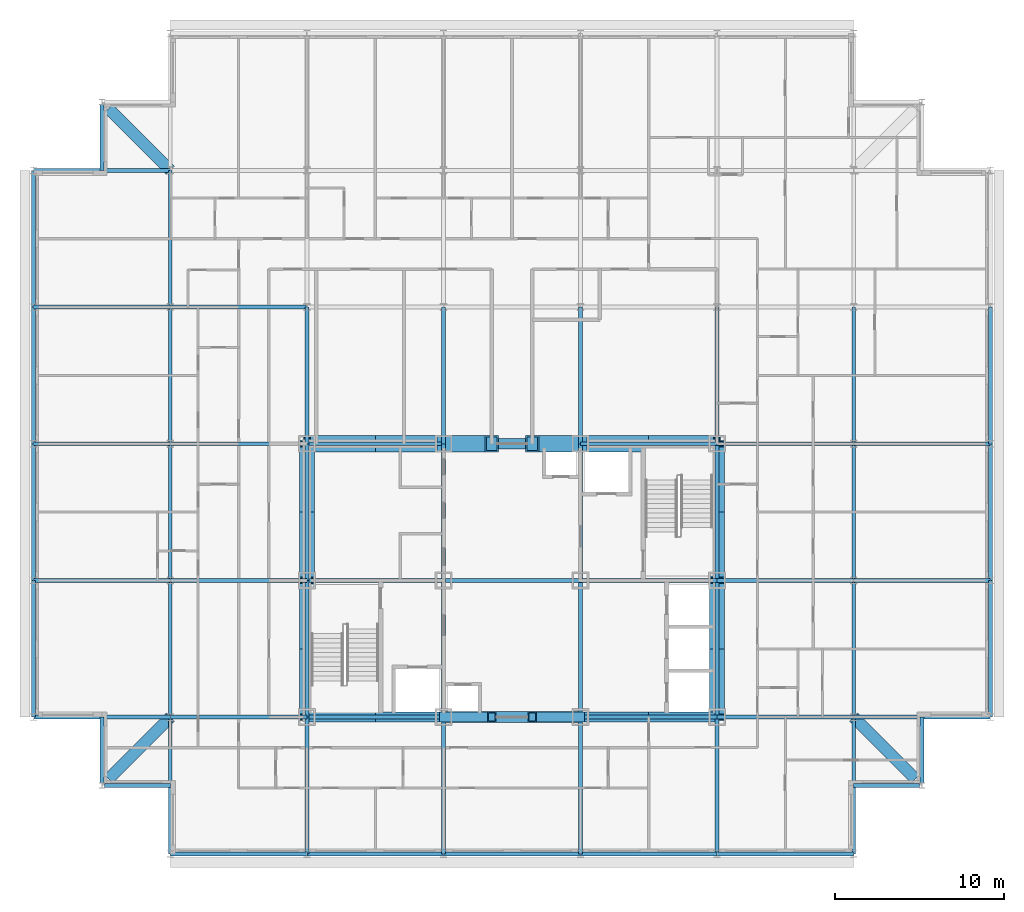
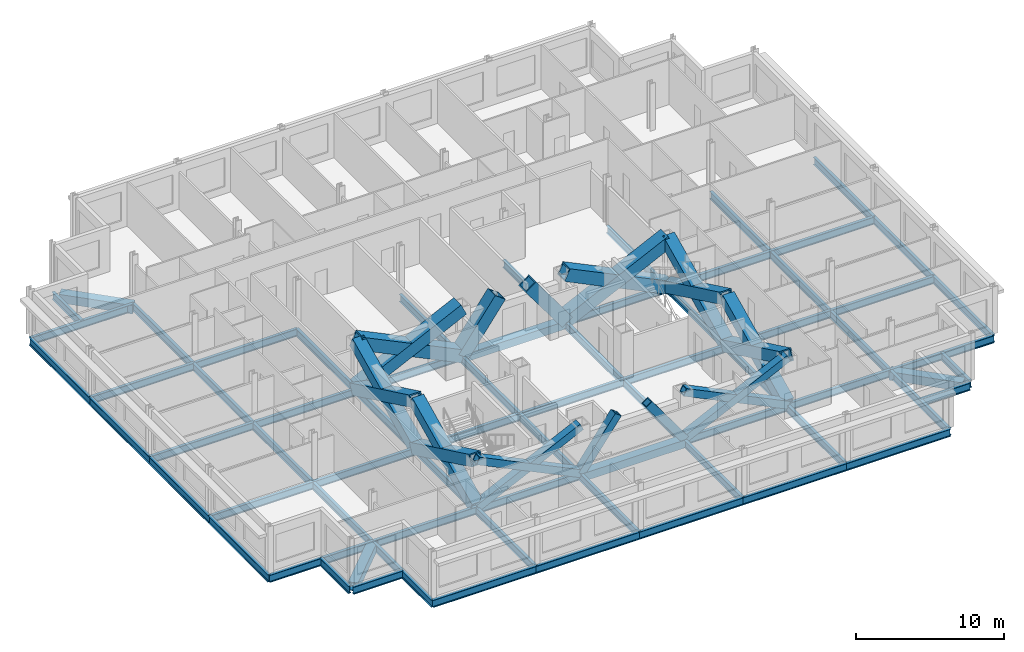
# One storey, part 5 of 15: 69 beams, 20 members.
"""IFC4 building model written with IfcOpenShell, lengths in metres."""

from ifc_helpers import new_model, si_unit, direction, frame, origin, origin_2d, place, context, subcontext, project, spatial, hollow_rectangle, i_section, extrude, material, material_profile, profile_set, type_object, element, save


model = new_model("IFC4")

# Units and contexts
model_context = context("Model", 3, precision=1e-05, world=origin(), true_north=direction((0.0, 1.0)))
body_context = subcontext(model_context, "Body", "Model", "MODEL_VIEW")
ifc_project = project(units=[si_unit("LENGTHUNIT", "METRE"), si_unit("AREAUNIT", "SQUARE_METRE"), si_unit("VOLUMEUNIT", "CUBIC_METRE"), si_unit("PLANEANGLEUNIT", "RADIAN"), si_unit("MASSUNIT", "GRAM", prefix="KILO")], contexts=[model_context])

# Site, building, storey
site_placement = place(None, origin())
site = spatial("IfcSite", under=ifc_project, at=site_placement, CompositionType="ELEMENT")
building_placement = place(site_placement, origin())
building = spatial("IfcBuilding", under=site, at=building_placement, Name="Kopane Lantern Tower", CompositionType="ELEMENT")
storey_placement = place(building_placement, frame((0.0, 0.0, 277.5)))
storey = spatial("IfcBuildingStorey", under=building, at=storey_placement, Name="L71", CompositionType="ELEMENT", Elevation=277.5)

# Members
ifc_material_1 = material(Name="Steel S355JR", Category="steel")
ifc_material_profile_1 = material_profile(ifc_material_1, hollow_rectangle(XDim=1.0, YDim=1.0, WallThickness=0.10009765625, at=origin_2d()), Name="BOX 1000x1000x100")
ifc_profile_set_1 = profile_set([ifc_material_profile_1], Name="Steel S355JR")
member_type_1 = type_object("IfcMemberType", Name="BRACE BOX 1000x1000x100", PredefinedType="BRACE", material=ifc_profile_set_1)
for number, where, z_axis, x_axis, name in (
    (1, (16.199951171875, 40.5, -0.2099609375), (0.901007959878, 0.0, 0.433802554437), (0.0, 1.0, 0.0), "Core brace L71"),
    (2, (24.300048828125, 40.5, -0.2099609375), (-0.901007959878, 0.0, 0.433802554437), (0.0, -1.0, 0.0), "Core brace L71"),
):
    element("IfcMember", number, at=place(storey_placement, frame(where, z_axis=z_axis, x_axis=x_axis)), inside=storey, type_object=member_type_1, Name=name, PredefinedType="BRACE", context=body_context, shape_type="SweptSolid", body=[
        extrude(hollow_rectangle(XDim=1.0, YDim=1.0, WallThickness=0.10009765625, at=origin_2d()), origin(), (0.0, 0.0, 1.0), 8.989990234375),
    ])
for number, where, z_axis, x_axis, name in (
    (3, (24.300048828125, 40.5, -0.2099609375), (0.590006451143, 0.0, 0.807398530845), (0.0, 1.0, 0.0), "Core brace L71"),
    (4, (32.39990234375, 40.5, -0.2099609375), (-0.590006451143, 0.0, 0.807398530845), (0.0, -1.0, 0.0), "Core brace L71"),
):
    element("IfcMember", number, at=place(storey_placement, frame(where, z_axis=z_axis, x_axis=x_axis)), inside=storey, type_object=member_type_1, Name=name, PredefinedType="BRACE", context=body_context, shape_type="SweptSolid", body=[
        extrude(hollow_rectangle(XDim=1.0, YDim=1.0, WallThickness=0.10009765625, at=origin_2d()), origin(), (0.0, 0.0, 1.0), 4.830322265625),
    ])
for number, where, z_axis, x_axis, name in (
    (5, (32.39990234375, 40.5, -0.2099609375), (0.901007959878, 0.0, 0.433802554437), (0.0, 1.0, 0.0), "Core brace L71"),
    (6, (40.5, 40.5, -0.2099609375), (-0.901007959878, 0.0, 0.433802554437), (0.0, -1.0, 0.0), "Core brace L71"),
):
    element("IfcMember", number, at=place(storey_placement, frame(where, z_axis=z_axis, x_axis=x_axis)), inside=storey, type_object=member_type_1, Name=name, PredefinedType="BRACE", context=body_context, shape_type="SweptSolid", body=[
        extrude(hollow_rectangle(XDim=1.0, YDim=1.0, WallThickness=0.10009765625, at=origin_2d()), origin(), (0.0, 0.0, 1.0), 8.989990234375),
    ])
ifc_material_2 = material(Name="Steel S355JR", Category="steel")
ifc_material_profile_2 = material_profile(ifc_material_2, hollow_rectangle(XDim=0.60009765625, YDim=0.60009765625, WallThickness=0.06005859375, at=origin_2d()), Name="BOX 600x600x60")
ifc_profile_set_2 = profile_set([ifc_material_profile_2], Name="Steel S355JR")
member_type_2 = type_object("IfcMemberType", Name="BRACE BOX 600x600x60", PredefinedType="BRACE", material=ifc_profile_set_2)
for number, where, z_axis, x_axis, name in (
    (7, (16.199951171875, 24.300048828125, -0.2099609375), (0.901007959878, 0.0, 0.433802554437), (0.0, 1.0, 0.0), "Core brace L71"),
    (8, (24.300048828125, 24.300048828125, -0.2099609375), (-0.901007959878, 0.0, 0.433802554437), (0.0, -1.0, 0.0), "Core brace L71"),
):
    element("IfcMember", number, at=place(storey_placement, frame(where, z_axis=z_axis, x_axis=x_axis)), inside=storey, type_object=member_type_2, Name=name, PredefinedType="BRACE", context=body_context, shape_type="SweptSolid", body=[
        extrude(hollow_rectangle(XDim=0.60009765625, YDim=0.60009765625, WallThickness=0.06005859375, at=origin_2d()), origin(), (0.0, 0.0, 1.0), 8.989990234375),
    ])
for number, where, z_axis, x_axis, name in (
    (9, (24.300048828125, 24.300048828125, -0.2099609375), (0.590006451143, 0.0, 0.807398530845), (0.0, 1.0, 0.0), "Core brace L71"),
    (10, (32.39990234375, 24.300048828125, -0.2099609375), (-0.590006451143, 0.0, 0.807398530845), (0.0, -1.0, 0.0), "Core brace L71"),
):
    element("IfcMember", number, at=place(storey_placement, frame(where, z_axis=z_axis, x_axis=x_axis)), inside=storey, type_object=member_type_2, Name=name, PredefinedType="BRACE", context=body_context, shape_type="SweptSolid", body=[
        extrude(hollow_rectangle(XDim=0.60009765625, YDim=0.60009765625, WallThickness=0.06005859375, at=origin_2d()), origin(), (0.0, 0.0, 1.0), 4.830322265625),
    ])
for number, where, z_axis, x_axis, name in (
    (11, (32.39990234375, 24.300048828125, -0.2099609375), (0.901007959878, 0.0, 0.433802554437), (0.0, 1.0, 0.0), "Core brace L71"),
    (12, (40.5, 24.300048828125, -0.2099609375), (-0.901007959878, 0.0, 0.433802554437), (0.0, -1.0, 0.0), "Core brace L71"),
):
    element("IfcMember", number, at=place(storey_placement, frame(where, z_axis=z_axis, x_axis=x_axis)), inside=storey, type_object=member_type_2, Name=name, PredefinedType="BRACE", context=body_context, shape_type="SweptSolid", body=[
        extrude(hollow_rectangle(XDim=0.60009765625, YDim=0.60009765625, WallThickness=0.06005859375, at=origin_2d()), origin(), (0.0, 0.0, 1.0), 8.989990234375),
    ])
ifc_material_3 = material(Name="Steel S355JR", Category="steel")
ifc_material_profile_3 = material_profile(ifc_material_3, hollow_rectangle(XDim=0.89990234375, YDim=0.89990234375, WallThickness=0.090087890625, at=origin_2d()), Name="BOX 900x900x90")
ifc_profile_set_3 = profile_set([ifc_material_profile_3], Name="Steel S355JR")
member_type_3 = type_object("IfcMemberType", Name="BRACE BOX 900x900x90", PredefinedType="BRACE", material=ifc_profile_set_3)
for number, where, z_axis, x_axis, name in (
    (13, (16.199951171875, 24.300048828125, -0.2099609375), (0.0, 0.9010028492, 0.433813169157), (-1.0, 0.0, 0.0), "Core brace L71"),
    (14, (16.199951171875, 32.39990234375, -0.2099609375), (0.0, -0.9010028492, 0.433813169157), (1.0, 0.0, 0.0), "Core brace L71"),
):
    element("IfcMember", number, at=place(storey_placement, frame(where, z_axis=z_axis, x_axis=x_axis)), inside=storey, type_object=member_type_3, Name=name, PredefinedType="BRACE", context=body_context, shape_type="SweptSolid", body=[
        extrude(hollow_rectangle(XDim=0.89990234375, YDim=0.89990234375, WallThickness=0.090087890625, at=origin_2d()), origin(), (0.0, 0.0, 1.0), 8.98974609375),
    ])
for number, where, z_axis, x_axis, name in (
    (15, (16.199951171875, 32.39990234375, -0.2099609375), (0.0, 0.901007959878, 0.433802554437), (-1.0, 0.0, 0.0), "Core brace L71"),
    (16, (16.199951171875, 40.5, -0.2099609375), (0.0, -0.901007959878, 0.433802554437), (1.0, 0.0, 0.0), "Core brace L71"),
):
    element("IfcMember", number, at=place(storey_placement, frame(where, z_axis=z_axis, x_axis=x_axis)), inside=storey, type_object=member_type_3, Name=name, PredefinedType="BRACE", context=body_context, shape_type="SweptSolid", body=[
        extrude(hollow_rectangle(XDim=0.89990234375, YDim=0.89990234375, WallThickness=0.090087890625, at=origin_2d()), origin(), (0.0, 0.0, 1.0), 8.989990234375),
    ])
for number, where, z_axis, x_axis, name in (
    (17, (40.5, 24.300048828125, -0.2099609375), (0.0, 0.9010028492, 0.433813169157), (-1.0, 0.0, 0.0), "Core brace L71"),
    (18, (40.5, 32.39990234375, -0.2099609375), (0.0, -0.9010028492, 0.433813169157), (1.0, 0.0, 0.0), "Core brace L71"),
):
    element("IfcMember", number, at=place(storey_placement, frame(where, z_axis=z_axis, x_axis=x_axis)), inside=storey, type_object=member_type_3, Name=name, PredefinedType="BRACE", context=body_context, shape_type="SweptSolid", body=[
        extrude(hollow_rectangle(XDim=0.89990234375, YDim=0.89990234375, WallThickness=0.090087890625, at=origin_2d()), origin(), (0.0, 0.0, 1.0), 8.98974609375),
    ])
for number, where, z_axis, x_axis, name in (
    (19, (40.5, 32.39990234375, -0.2099609375), (0.0, 0.901007959878, 0.433802554437), (-1.0, 0.0, 0.0), "Core brace L71"),
    (20, (40.5, 40.5, -0.2099609375), (0.0, -0.901007959878, 0.433802554437), (1.0, 0.0, 0.0), "Core brace L71"),
):
    element("IfcMember", number, at=place(storey_placement, frame(where, z_axis=z_axis, x_axis=x_axis)), inside=storey, type_object=member_type_3, Name=name, PredefinedType="BRACE", context=body_context, shape_type="SweptSolid", body=[
        extrude(hollow_rectangle(XDim=0.89990234375, YDim=0.89990234375, WallThickness=0.090087890625, at=origin_2d()), origin(), (0.0, 0.0, 1.0), 8.989990234375),
    ])

# Beams
ifc_material_4 = material(Name="Steel S355JR", Category="steel")
ifc_material_profile_4 = material_profile(ifc_material_4, i_section(OverallWidth=0.22900390625, OverallDepth=0.6123046875, WebThickness=0.011962890625, FlangeThickness=0.01953125, FilletRadius=0.0126953125, at=origin_2d()), Name="UB 610x229x125")
ifc_profile_set_4 = profile_set([ifc_material_profile_4], Name="Steel S355JR")
beam_type_1 = type_object("IfcBeamType", Name="CORE BEAM UB 610x229x125", PredefinedType="BEAM", material=ifc_profile_set_4)
beam_1_placement = place(storey_placement, frame((16.199951171875, 32.39990234375, -0.51611328125), z_axis=(1.0, 0.0, 0.0), x_axis=(0.0, 1.0, 0.0)))
element("IfcBeam", 21, at=beam_1_placement, inside=storey, type_object=beam_type_1, Name="Core Beam L71", PredefinedType="BEAM", context=body_context, shape_type="SweptSolid", body=[
    extrude(i_section(OverallWidth=0.22900390625, OverallDepth=0.6123046875, WebThickness=0.011962890625, FlangeThickness=0.01953125, FilletRadius=0.0126953125, at=origin_2d()), origin(), (0.0, 0.0, 1.0), 8.10009765625),
])
beam_2_placement = place(storey_placement, frame((24.300048828125, 24.300048828125, -0.51611328125), z_axis=(0.0, 1.0, 0.0), x_axis=(-1.0, 0.0, 0.0)))
element("IfcBeam", 22, at=beam_2_placement, inside=storey, type_object=beam_type_1, Name="Core Beam L71", PredefinedType="BEAM", context=body_context, shape_type="SweptSolid", body=[
    extrude(i_section(OverallWidth=0.22900390625, OverallDepth=0.6123046875, WebThickness=0.011962890625, FlangeThickness=0.01953125, FilletRadius=0.0126953125, at=origin_2d()), origin(), (0.0, 0.0, 1.0), 8.099853515625),
])
beam_3_placement = place(storey_placement, frame((24.300048828125, 32.39990234375, -0.51611328125), z_axis=(0.0, 1.0, 0.0), x_axis=(-1.0, 0.0, 0.0)))
element("IfcBeam", 23, at=beam_3_placement, inside=storey, type_object=beam_type_1, Name="Core Beam L71", PredefinedType="BEAM", context=body_context, shape_type="SweptSolid", body=[
    extrude(i_section(OverallWidth=0.22900390625, OverallDepth=0.6123046875, WebThickness=0.011962890625, FlangeThickness=0.01953125, FilletRadius=0.0126953125, at=origin_2d()), origin(), (0.0, 0.0, 1.0), 8.10009765625),
])
for number, where, z_axis, x_axis, name in (
    (24, (24.300048828125, 32.39990234375, -0.51611328125), (1.0, 0.0, 0.0), (0.0, 1.0, 0.0), "Core Beam L71"),
    (25, (32.39990234375, 24.300048828125, -0.51611328125), (0.0, 1.0, 0.0), (-1.0, 0.0, 0.0), "Core Beam L71"),
):
    element("IfcBeam", number, at=place(storey_placement, frame(where, z_axis=z_axis, x_axis=x_axis)), inside=storey, type_object=beam_type_1, Name=name, PredefinedType="BEAM", context=body_context, shape_type="SweptSolid", body=[
        extrude(i_section(OverallWidth=0.22900390625, OverallDepth=0.6123046875, WebThickness=0.011962890625, FlangeThickness=0.01953125, FilletRadius=0.0126953125, at=origin_2d()), origin(), (0.0, 0.0, 1.0), 8.099853515625),
    ])
for number, where, z_axis, x_axis, name in (
    (26, (32.39990234375, 32.39990234375, -0.51611328125), (0.0, 1.0, 0.0), (-1.0, 0.0, 0.0), "Core Beam L71"),
    (27, (32.39990234375, 32.39990234375, -0.51611328125), (1.0, 0.0, 0.0), (0.0, 1.0, 0.0), "Core Beam L71"),
):
    element("IfcBeam", number, at=place(storey_placement, frame(where, z_axis=z_axis, x_axis=x_axis)), inside=storey, type_object=beam_type_1, Name=name, PredefinedType="BEAM", context=body_context, shape_type="SweptSolid", body=[
        extrude(i_section(OverallWidth=0.22900390625, OverallDepth=0.6123046875, WebThickness=0.011962890625, FlangeThickness=0.01953125, FilletRadius=0.0126953125, at=origin_2d()), origin(), (0.0, 0.0, 1.0), 8.10009765625),
    ])
ifc_material_5 = material(Name="Steel S355JR", Category="steel")
ifc_material_profile_5 = material_profile(ifc_material_5, hollow_rectangle(XDim=0.699951171875, YDim=0.699951171875, WallThickness=0.06005859375, at=origin_2d()), Name="BOX 700x700x60")
ifc_profile_set_5 = profile_set([ifc_material_profile_5], Name="Steel S355JR")
beam_type_2 = type_object("IfcBeamType", Name="CORNER TIE BEAM BOX 700x700x60", PredefinedType="BEAM", material=ifc_profile_set_5)
for number, where, z_axis, x_axis, name in (
    (28, (4.447509765625, 20.6474609375, -0.56005859375), (0.707106781187, 0.707106781187, 0.0), (-0.707106781187, 0.707106781187, 0.0), "Corner Tie Beam L71"),
    (29, (4.447509765625, 60.3525390625, -0.56005859375), (0.707106781187, -0.707106781187, 0.0), (0.707106781187, 0.707106781187, 0.0), "Corner Tie Beam L71"),
):
    element("IfcBeam", number, at=place(storey_placement, frame(where, z_axis=z_axis, x_axis=x_axis)), inside=storey, type_object=beam_type_2, Name=name, PredefinedType="BEAM", context=body_context, shape_type="SweptSolid", body=[
        extrude(hollow_rectangle(XDim=0.699951171875, YDim=0.699951171875, WallThickness=0.06005859375, at=origin_2d()), origin(), (0.0, 0.0, 1.0), 5.16552734375),
    ])
beam_4_placement = place(storey_placement, frame((52.25244140625, 20.6474609375, -0.56005859375), z_axis=(-0.707083148333, 0.70713041325, 0.0), x_axis=(-0.70713041325, -0.707083148333, 0.0)))
element("IfcBeam", 30, at=beam_4_placement, inside=storey, type_object=beam_type_2, Name="Corner Tie Beam L71", PredefinedType="BEAM", context=body_context, shape_type="SweptSolid", body=[
    extrude(hollow_rectangle(XDim=0.699951171875, YDim=0.699951171875, WallThickness=0.06005859375, at=origin_2d()), origin(), (0.0, 0.0, 1.0), 5.165283203125),
])
ifc_material_6 = material(Name="Steel S355JR", Category="steel")
ifc_material_profile_6 = material_profile(ifc_material_6, i_section(OverallWidth=0.22900390625, OverallDepth=0.6123046875, WebThickness=0.011962890625, FlangeThickness=0.01953125, FilletRadius=0.0126953125, at=origin_2d()), Name="UB 610x229x125")
ifc_profile_set_6 = profile_set([ifc_material_profile_6], Name="Steel S355JR")
beam_type_3 = type_object("IfcBeamType", Name="EDGE BEAM UB 610x229x125", PredefinedType="BEAM", material=ifc_profile_set_6)
beam_5_placement = place(storey_placement, frame((4.050048828125, 20.40380859375, -0.51611328125), z_axis=(0.0, 1.0, 0.0), x_axis=(-1.0, 0.0, 0.0)))
element("IfcBeam", 31, at=beam_5_placement, inside=storey, type_object=beam_type_3, Name="Edge Beam L71", PredefinedType="BEAM", context=body_context, shape_type="SweptSolid", body=[
    extrude(i_section(OverallWidth=0.22900390625, OverallDepth=0.6123046875, WebThickness=0.011962890625, FlangeThickness=0.01953125, FilletRadius=0.0126953125, at=origin_2d()), origin(), (0.0, 0.0, 1.0), 3.896240234375),
])
beam_6_placement = place(storey_placement, frame((4.20361328125, 20.25, -0.51611328125), z_axis=(1.0, 0.0, 0.0), x_axis=(0.0, 1.0, 0.0)))
element("IfcBeam", 32, at=beam_6_placement, inside=storey, type_object=beam_type_3, Name="Edge Beam L71", PredefinedType="BEAM", context=body_context, shape_type="SweptSolid", body=[
    extrude(i_section(OverallWidth=0.22900390625, OverallDepth=0.6123046875, WebThickness=0.011962890625, FlangeThickness=0.01953125, FilletRadius=0.0126953125, at=origin_2d()), origin(), (0.0, 0.0, 1.0), 3.896484375),
])
for number, where, z_axis, x_axis, name in (
    (33, (4.050048828125, 60.59619140625, -0.51611328125), (0.0, -1.0, 0.0), (1.0, 0.0, 0.0), "Edge Beam L71"),
    (34, (52.496337890625, 20.25, -0.51611328125), (-1.0, 0.0, 0.0), (0.0, -1.0, 0.0), "Edge Beam L71"),
    (35, (52.64990234375, 20.40380859375, -0.51611328125), (0.0, 1.0, 0.0), (-1.0, 0.0, 0.0), "Edge Beam L71"),
):
    element("IfcBeam", number, at=place(storey_placement, frame(where, z_axis=z_axis, x_axis=x_axis)), inside=storey, type_object=beam_type_3, Name=name, PredefinedType="BEAM", context=body_context, shape_type="SweptSolid", body=[
        extrude(i_section(OverallWidth=0.22900390625, OverallDepth=0.6123046875, WebThickness=0.011962890625, FlangeThickness=0.01953125, FilletRadius=0.0126953125, at=origin_2d()), origin(), (0.0, 0.0, 1.0), 3.896240234375),
    ])
ifc_material_7 = material(Name="Steel S355JR", Category="steel")
ifc_material_profile_7 = material_profile(ifc_material_7, i_section(OverallWidth=0.22900390625, OverallDepth=0.6123046875, WebThickness=0.011962890625, FlangeThickness=0.01953125, FilletRadius=0.0126953125, at=origin_2d()), Name="UB 610x229x125")
ifc_profile_set_7 = profile_set([ifc_material_profile_7], Name="Steel S355JR")
beam_type_4 = type_object("IfcBeamType", Name="GIRDER UB 610x229x125", PredefinedType="BEAM", material=ifc_profile_set_7)
beam_7_placement = place(storey_placement, frame((0.0, 24.300048828125, -0.51611328125), z_axis=(0.0, 1.0, 0.0), x_axis=(-1.0, 0.0, 0.0)))
element("IfcBeam", 36, at=beam_7_placement, inside=storey, type_object=beam_type_4, Name="Girder L71", PredefinedType="BEAM", context=body_context, shape_type="SweptSolid", body=[
    extrude(i_section(OverallWidth=0.22900390625, OverallDepth=0.6123046875, WebThickness=0.011962890625, FlangeThickness=0.01953125, FilletRadius=0.0126953125, at=origin_2d()), origin(), (0.0, 0.0, 1.0), 8.099853515625),
])
for number, where, z_axis, x_axis, name in (
    (37, (0.0, 24.300048828125, -0.51611328125), (1.0, 0.0, 0.0), (0.0, 1.0, 0.0), "Girder L71"),
    (38, (0.0, 32.39990234375, -0.51611328125), (0.0, 1.0, 0.0), (-1.0, 0.0, 0.0), "Girder L71"),
    (39, (0.0, 32.39990234375, -0.51611328125), (1.0, 0.0, 0.0), (0.0, 1.0, 0.0), "Girder L71"),
    (40, (0.0, 40.5, -0.51611328125), (0.0, 1.0, 0.0), (-1.0, 0.0, 0.0), "Girder L71"),
    (41, (0.0, 40.5, -0.51611328125), (1.0, 0.0, 0.0), (0.0, 1.0, 0.0), "Girder L71"),
):
    element("IfcBeam", number, at=place(storey_placement, frame(where, z_axis=z_axis, x_axis=x_axis)), inside=storey, type_object=beam_type_4, Name=name, PredefinedType="BEAM", context=body_context, shape_type="SweptSolid", body=[
        extrude(i_section(OverallWidth=0.22900390625, OverallDepth=0.6123046875, WebThickness=0.011962890625, FlangeThickness=0.01953125, FilletRadius=0.0126953125, at=origin_2d()), origin(), (0.0, 0.0, 1.0), 8.10009765625),
    ])
beam_8_placement = place(storey_placement, frame((0.0, 48.60009765625, -0.51611328125), z_axis=(0.0, 1.0, 0.0), x_axis=(-1.0, 0.0, 0.0)))
element("IfcBeam", 42, at=beam_8_placement, inside=storey, type_object=beam_type_4, Name="Girder L71", PredefinedType="BEAM", context=body_context, shape_type="SweptSolid", body=[
    extrude(i_section(OverallWidth=0.22900390625, OverallDepth=0.6123046875, WebThickness=0.011962890625, FlangeThickness=0.01953125, FilletRadius=0.0126953125, at=origin_2d()), origin(), (0.0, 0.0, 1.0), 8.099853515625),
])
for number, where, z_axis, x_axis, name in (
    (43, (0.0, 48.60009765625, -0.51611328125), (1.0, 0.0, 0.0), (0.0, 1.0, 0.0), "Girder L71"),
    (44, (0.0, 56.699951171875, -0.51611328125), (1.0, 0.0, 0.0), (0.0, 1.0, 0.0), "Girder L71"),
    (45, (8.10009765625, 16.199951171875, -0.51611328125), (0.0, 1.0, 0.0), (-1.0, 0.0, 0.0), "Girder L71"),
):
    element("IfcBeam", number, at=place(storey_placement, frame(where, z_axis=z_axis, x_axis=x_axis)), inside=storey, type_object=beam_type_4, Name=name, PredefinedType="BEAM", context=body_context, shape_type="SweptSolid", body=[
        extrude(i_section(OverallWidth=0.22900390625, OverallDepth=0.6123046875, WebThickness=0.011962890625, FlangeThickness=0.01953125, FilletRadius=0.0126953125, at=origin_2d()), origin(), (0.0, 0.0, 1.0), 8.10009765625),
    ])
for number, where, z_axis, x_axis, name in (
    (46, (8.10009765625, 16.199951171875, -0.51611328125), (1.0, 0.0, 0.0), (0.0, 1.0, 0.0), "Girder L71"),
    (47, (8.10009765625, 24.300048828125, -0.51611328125), (0.0, 1.0, 0.0), (-1.0, 0.0, 0.0), "Girder L71"),
    (48, (8.10009765625, 24.300048828125, -0.51611328125), (1.0, 0.0, 0.0), (0.0, 1.0, 0.0), "Girder L71"),
):
    element("IfcBeam", number, at=place(storey_placement, frame(where, z_axis=z_axis, x_axis=x_axis)), inside=storey, type_object=beam_type_4, Name=name, PredefinedType="BEAM", context=body_context, shape_type="SweptSolid", body=[
        extrude(i_section(OverallWidth=0.22900390625, OverallDepth=0.6123046875, WebThickness=0.011962890625, FlangeThickness=0.01953125, FilletRadius=0.0126953125, at=origin_2d()), origin(), (0.0, 0.0, 1.0), 8.099853515625),
    ])
beam_9_placement = place(storey_placement, frame((8.10009765625, 32.39990234375, -0.51611328125), z_axis=(0.0, 1.0, 0.0), x_axis=(-1.0, 0.0, 0.0)))
element("IfcBeam", 49, at=beam_9_placement, inside=storey, type_object=beam_type_4, Name="Girder L71", PredefinedType="BEAM", context=body_context, shape_type="SweptSolid", body=[
    extrude(i_section(OverallWidth=0.22900390625, OverallDepth=0.6123046875, WebThickness=0.011962890625, FlangeThickness=0.01953125, FilletRadius=0.0126953125, at=origin_2d()), origin(), (0.0, 0.0, 1.0), 8.10009765625),
])
beam_10_placement = place(storey_placement, frame((8.10009765625, 32.39990234375, -0.51611328125), z_axis=(1.0, 0.0, 0.0), x_axis=(0.0, 1.0, 0.0)))
element("IfcBeam", 50, at=beam_10_placement, inside=storey, type_object=beam_type_4, Name="Girder L71", PredefinedType="BEAM", context=body_context, shape_type="SweptSolid", body=[
    extrude(i_section(OverallWidth=0.22900390625, OverallDepth=0.6123046875, WebThickness=0.011962890625, FlangeThickness=0.01953125, FilletRadius=0.0126953125, at=origin_2d()), origin(), (0.0, 0.0, 1.0), 8.099853515625),
])
beam_11_placement = place(storey_placement, frame((8.10009765625, 40.5, -0.51611328125), z_axis=(0.0, 1.0, 0.0), x_axis=(-1.0, 0.0, 0.0)))
element("IfcBeam", 51, at=beam_11_placement, inside=storey, type_object=beam_type_4, Name="Girder L71", PredefinedType="BEAM", context=body_context, shape_type="SweptSolid", body=[
    extrude(i_section(OverallWidth=0.22900390625, OverallDepth=0.6123046875, WebThickness=0.011962890625, FlangeThickness=0.01953125, FilletRadius=0.0126953125, at=origin_2d()), origin(), (0.0, 0.0, 1.0), 8.10009765625),
])
for number, where, z_axis, x_axis, name in (
    (52, (8.10009765625, 40.5, -0.51611328125), (1.0, 0.0, 0.0), (0.0, 1.0, 0.0), "Girder L71"),
    (53, (8.10009765625, 48.60009765625, -0.51611328125), (0.0, 1.0, 0.0), (-1.0, 0.0, 0.0), "Girder L71"),
    (54, (8.10009765625, 48.60009765625, -0.51611328125), (1.0, 0.0, 0.0), (0.0, 1.0, 0.0), "Girder L71"),
):
    element("IfcBeam", number, at=place(storey_placement, frame(where, z_axis=z_axis, x_axis=x_axis)), inside=storey, type_object=beam_type_4, Name=name, PredefinedType="BEAM", context=body_context, shape_type="SweptSolid", body=[
        extrude(i_section(OverallWidth=0.22900390625, OverallDepth=0.6123046875, WebThickness=0.011962890625, FlangeThickness=0.01953125, FilletRadius=0.0126953125, at=origin_2d()), origin(), (0.0, 0.0, 1.0), 8.099853515625),
    ])
for number, where, z_axis, x_axis, name in (
    (55, (16.199951171875, 16.199951171875, -0.51611328125), (0.0, 1.0, 0.0), (-1.0, 0.0, 0.0), "Girder L71"),
    (56, (16.199951171875, 16.199951171875, -0.51611328125), (1.0, 0.0, 0.0), (0.0, 1.0, 0.0), "Girder L71"),
):
    element("IfcBeam", number, at=place(storey_placement, frame(where, z_axis=z_axis, x_axis=x_axis)), inside=storey, type_object=beam_type_4, Name=name, PredefinedType="BEAM", context=body_context, shape_type="SweptSolid", body=[
        extrude(i_section(OverallWidth=0.22900390625, OverallDepth=0.6123046875, WebThickness=0.011962890625, FlangeThickness=0.01953125, FilletRadius=0.0126953125, at=origin_2d()), origin(), (0.0, 0.0, 1.0), 8.10009765625),
    ])
beam_12_placement = place(storey_placement, frame((16.199951171875, 24.300048828125, -0.51611328125), z_axis=(0.0, 1.0, 0.0), x_axis=(-1.0, 0.0, 0.0)))
element("IfcBeam", 57, at=beam_12_placement, inside=storey, type_object=beam_type_4, Name="Girder L71", PredefinedType="BEAM", context=body_context, shape_type="SweptSolid", body=[
    extrude(i_section(OverallWidth=0.22900390625, OverallDepth=0.6123046875, WebThickness=0.011962890625, FlangeThickness=0.01953125, FilletRadius=0.0126953125, at=origin_2d()), origin(), (0.0, 0.0, 1.0), 8.099853515625),
])
for number, where, z_axis, x_axis, name in (
    (58, (16.199951171875, 24.300048828125, -0.51611328125), (1.0, 0.0, 0.0), (0.0, 1.0, 0.0), "Girder L71"),
    (59, (16.199951171875, 32.39990234375, -0.51611328125), (0.0, 1.0, 0.0), (-1.0, 0.0, 0.0), "Girder L71"),
    (60, (16.199951171875, 40.5, -0.51611328125), (0.0, 1.0, 0.0), (-1.0, 0.0, 0.0), "Girder L71"),
    (61, (16.199951171875, 40.5, -0.51611328125), (1.0, 0.0, 0.0), (0.0, 1.0, 0.0), "Girder L71"),
    (62, (24.300048828125, 16.199951171875, -0.51611328125), (0.0, 1.0, 0.0), (-1.0, 0.0, 0.0), "Girder L71"),
):
    element("IfcBeam", number, at=place(storey_placement, frame(where, z_axis=z_axis, x_axis=x_axis)), inside=storey, type_object=beam_type_4, Name=name, PredefinedType="BEAM", context=body_context, shape_type="SweptSolid", body=[
        extrude(i_section(OverallWidth=0.22900390625, OverallDepth=0.6123046875, WebThickness=0.011962890625, FlangeThickness=0.01953125, FilletRadius=0.0126953125, at=origin_2d()), origin(), (0.0, 0.0, 1.0), 8.10009765625),
    ])
beam_13_placement = place(storey_placement, frame((24.300048828125, 16.199951171875, -0.51611328125), z_axis=(1.0, 0.0, 0.0), x_axis=(0.0, 1.0, 0.0)))
element("IfcBeam", 63, at=beam_13_placement, inside=storey, type_object=beam_type_4, Name="Girder L71", PredefinedType="BEAM", context=body_context, shape_type="SweptSolid", body=[
    extrude(i_section(OverallWidth=0.22900390625, OverallDepth=0.6123046875, WebThickness=0.011962890625, FlangeThickness=0.01953125, FilletRadius=0.0126953125, at=origin_2d()), origin(), (0.0, 0.0, 1.0), 8.099853515625),
])
for number, where, z_axis, x_axis, name in (
    (64, (24.300048828125, 40.5, -0.51611328125), (0.0, 1.0, 0.0), (-1.0, 0.0, 0.0), "Girder L71"),
    (65, (32.39990234375, 16.199951171875, -0.51611328125), (0.0, 1.0, 0.0), (-1.0, 0.0, 0.0), "Girder L71"),
    (66, (32.39990234375, 16.199951171875, -0.51611328125), (1.0, 0.0, 0.0), (0.0, 1.0, 0.0), "Girder L71"),
    (67, (32.39990234375, 24.300048828125, -0.51611328125), (1.0, 0.0, 0.0), (0.0, 1.0, 0.0), "Girder L71"),
    (68, (32.39990234375, 40.5, -0.51611328125), (0.0, 1.0, 0.0), (-1.0, 0.0, 0.0), "Girder L71"),
    (69, (32.39990234375, 40.5, -0.51611328125), (1.0, 0.0, 0.0), (0.0, 1.0, 0.0), "Girder L71"),
    (70, (40.5, 16.199951171875, -0.51611328125), (0.0, 1.0, 0.0), (-1.0, 0.0, 0.0), "Girder L71"),
    (71, (40.5, 16.199951171875, -0.51611328125), (1.0, 0.0, 0.0), (0.0, 1.0, 0.0), "Girder L71"),
):
    element("IfcBeam", number, at=place(storey_placement, frame(where, z_axis=z_axis, x_axis=x_axis)), inside=storey, type_object=beam_type_4, Name=name, PredefinedType="BEAM", context=body_context, shape_type="SweptSolid", body=[
        extrude(i_section(OverallWidth=0.22900390625, OverallDepth=0.6123046875, WebThickness=0.011962890625, FlangeThickness=0.01953125, FilletRadius=0.0126953125, at=origin_2d()), origin(), (0.0, 0.0, 1.0), 8.10009765625),
    ])
beam_14_placement = place(storey_placement, frame((40.5, 24.300048828125, -0.51611328125), z_axis=(0.0, 1.0, 0.0), x_axis=(-1.0, 0.0, 0.0)))
element("IfcBeam", 72, at=beam_14_placement, inside=storey, type_object=beam_type_4, Name="Girder L71", PredefinedType="BEAM", context=body_context, shape_type="SweptSolid", body=[
    extrude(i_section(OverallWidth=0.22900390625, OverallDepth=0.6123046875, WebThickness=0.011962890625, FlangeThickness=0.01953125, FilletRadius=0.0126953125, at=origin_2d()), origin(), (0.0, 0.0, 1.0), 8.099853515625),
])
for number, where, z_axis, x_axis, name in (
    (73, (40.5, 24.300048828125, -0.51611328125), (1.0, 0.0, 0.0), (0.0, 1.0, 0.0), "Girder L71"),
    (74, (40.5, 32.39990234375, -0.51611328125), (0.0, 1.0, 0.0), (-1.0, 0.0, 0.0), "Girder L71"),
    (75, (40.5, 32.39990234375, -0.51611328125), (1.0, 0.0, 0.0), (0.0, 1.0, 0.0), "Girder L71"),
    (76, (40.5, 40.5, -0.51611328125), (0.0, 1.0, 0.0), (-1.0, 0.0, 0.0), "Girder L71"),
    (77, (40.5, 40.5, -0.51611328125), (1.0, 0.0, 0.0), (0.0, 1.0, 0.0), "Girder L71"),
    (78, (48.60009765625, 16.199951171875, -0.51611328125), (0.0, 1.0, 0.0), (-1.0, 0.0, 0.0), "Girder L71"),
):
    element("IfcBeam", number, at=place(storey_placement, frame(where, z_axis=z_axis, x_axis=x_axis)), inside=storey, type_object=beam_type_4, Name=name, PredefinedType="BEAM", context=body_context, shape_type="SweptSolid", body=[
        extrude(i_section(OverallWidth=0.22900390625, OverallDepth=0.6123046875, WebThickness=0.011962890625, FlangeThickness=0.01953125, FilletRadius=0.0126953125, at=origin_2d()), origin(), (0.0, 0.0, 1.0), 8.10009765625),
    ])
for number, where, z_axis, x_axis, name in (
    (79, (48.60009765625, 24.300048828125, -0.51611328125), (0.0, 1.0, 0.0), (-1.0, 0.0, 0.0), "Girder L71"),
    (80, (48.60009765625, 24.300048828125, -0.51611328125), (1.0, 0.0, 0.0), (0.0, 1.0, 0.0), "Girder L71"),
):
    element("IfcBeam", number, at=place(storey_placement, frame(where, z_axis=z_axis, x_axis=x_axis)), inside=storey, type_object=beam_type_4, Name=name, PredefinedType="BEAM", context=body_context, shape_type="SweptSolid", body=[
        extrude(i_section(OverallWidth=0.22900390625, OverallDepth=0.6123046875, WebThickness=0.011962890625, FlangeThickness=0.01953125, FilletRadius=0.0126953125, at=origin_2d()), origin(), (0.0, 0.0, 1.0), 8.099853515625),
    ])
beam_15_placement = place(storey_placement, frame((48.60009765625, 32.39990234375, -0.51611328125), z_axis=(0.0, 1.0, 0.0), x_axis=(-1.0, 0.0, 0.0)))
element("IfcBeam", 81, at=beam_15_placement, inside=storey, type_object=beam_type_4, Name="Girder L71", PredefinedType="BEAM", context=body_context, shape_type="SweptSolid", body=[
    extrude(i_section(OverallWidth=0.22900390625, OverallDepth=0.6123046875, WebThickness=0.011962890625, FlangeThickness=0.01953125, FilletRadius=0.0126953125, at=origin_2d()), origin(), (0.0, 0.0, 1.0), 8.10009765625),
])
beam_16_placement = place(storey_placement, frame((48.60009765625, 32.39990234375, -0.51611328125), z_axis=(1.0, 0.0, 0.0), x_axis=(0.0, 1.0, 0.0)))
element("IfcBeam", 82, at=beam_16_placement, inside=storey, type_object=beam_type_4, Name="Girder L71", PredefinedType="BEAM", context=body_context, shape_type="SweptSolid", body=[
    extrude(i_section(OverallWidth=0.22900390625, OverallDepth=0.6123046875, WebThickness=0.011962890625, FlangeThickness=0.01953125, FilletRadius=0.0126953125, at=origin_2d()), origin(), (0.0, 0.0, 1.0), 8.099853515625),
])
beam_17_placement = place(storey_placement, frame((48.60009765625, 40.5, -0.51611328125), z_axis=(0.0, 1.0, 0.0), x_axis=(-1.0, 0.0, 0.0)))
element("IfcBeam", 83, at=beam_17_placement, inside=storey, type_object=beam_type_4, Name="Girder L71", PredefinedType="BEAM", context=body_context, shape_type="SweptSolid", body=[
    extrude(i_section(OverallWidth=0.22900390625, OverallDepth=0.6123046875, WebThickness=0.011962890625, FlangeThickness=0.01953125, FilletRadius=0.0126953125, at=origin_2d()), origin(), (0.0, 0.0, 1.0), 8.10009765625),
])
for number, where, z_axis, x_axis, name in (
    (84, (48.60009765625, 40.5, -0.51611328125), (1.0, 0.0, 0.0), (0.0, 1.0, 0.0), "Girder L71"),
    (85, (56.699951171875, 24.300048828125, -0.51611328125), (0.0, 1.0, 0.0), (-1.0, 0.0, 0.0), "Girder L71"),
):
    element("IfcBeam", number, at=place(storey_placement, frame(where, z_axis=z_axis, x_axis=x_axis)), inside=storey, type_object=beam_type_4, Name=name, PredefinedType="BEAM", context=body_context, shape_type="SweptSolid", body=[
        extrude(i_section(OverallWidth=0.22900390625, OverallDepth=0.6123046875, WebThickness=0.011962890625, FlangeThickness=0.01953125, FilletRadius=0.0126953125, at=origin_2d()), origin(), (0.0, 0.0, 1.0), 8.099853515625),
    ])
for number, where, z_axis, x_axis, name in (
    (86, (56.699951171875, 32.39990234375, -0.51611328125), (0.0, 1.0, 0.0), (-1.0, 0.0, 0.0), "Girder L71"),
    (87, (56.699951171875, 40.5, -0.51611328125), (0.0, 1.0, 0.0), (-1.0, 0.0, 0.0), "Girder L71"),
):
    element("IfcBeam", number, at=place(storey_placement, frame(where, z_axis=z_axis, x_axis=x_axis)), inside=storey, type_object=beam_type_4, Name=name, PredefinedType="BEAM", context=body_context, shape_type="SweptSolid", body=[
        extrude(i_section(OverallWidth=0.22900390625, OverallDepth=0.6123046875, WebThickness=0.011962890625, FlangeThickness=0.01953125, FilletRadius=0.0126953125, at=origin_2d()), origin(), (0.0, 0.0, 1.0), 8.10009765625),
    ])
ifc_material_8 = material(Name="Steel S355JR", Category="steel")
ifc_material_profile_8 = material_profile(ifc_material_8, hollow_rectangle(XDim=0.64990234375, YDim=0.64990234375, WallThickness=0.070068359375, at=origin_2d()), Name="BOX 650x650x70")
ifc_profile_set_8 = profile_set([ifc_material_profile_8], Name="Steel S355JR")
beam_type_5 = type_object("IfcBeamType", Name="LINK BEAM BOX 650x650x70", PredefinedType="BEAM", material=ifc_profile_set_8)
for number, where, z_axis, x_axis, name in (
    (88, (24.300048828125, 24.300048828125, -0.534912109375), (1.0, 0.0, 0.0), (0.0, 1.0, 0.0), "Link Beam L71"),
    (89, (24.300048828125, 40.5, -0.534912109375), (1.0, 0.0, 0.0), (0.0, 1.0, 0.0), "Link Beam L71"),
):
    element("IfcBeam", number, at=place(storey_placement, frame(where, z_axis=z_axis, x_axis=x_axis)), inside=storey, type_object=beam_type_5, Name=name, PredefinedType="BEAM", context=body_context, shape_type="SweptSolid", body=[
        extrude(hollow_rectangle(XDim=0.64990234375, YDim=0.64990234375, WallThickness=0.070068359375, at=origin_2d()), origin(), (0.0, 0.0, 1.0), 8.099853515625),
    ])

save(model, "model.ifc")
